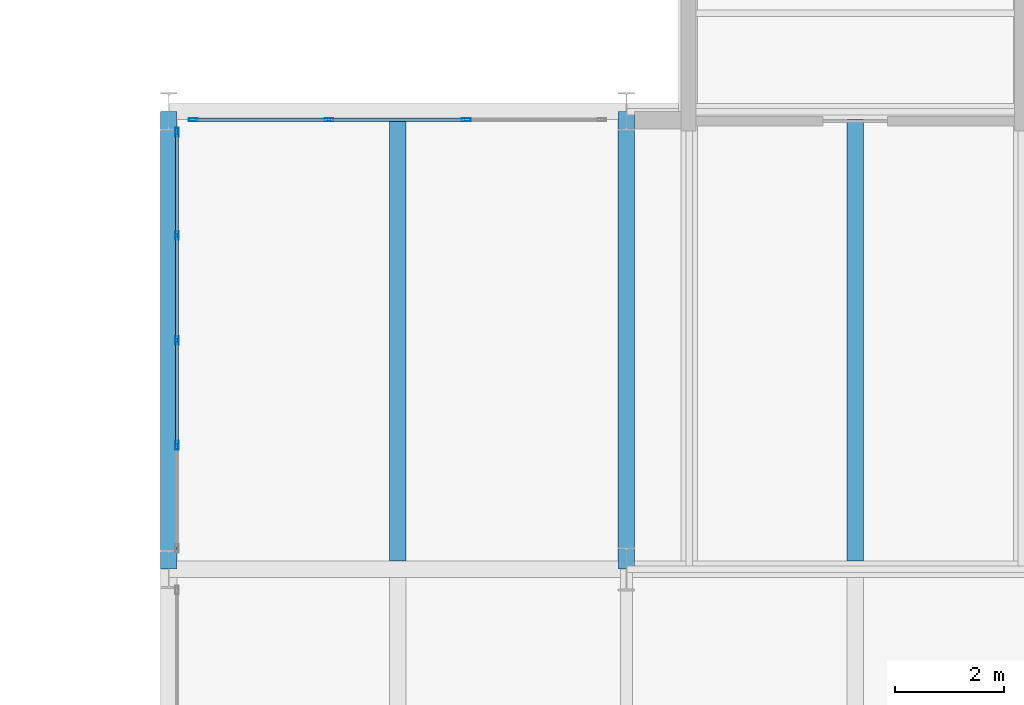
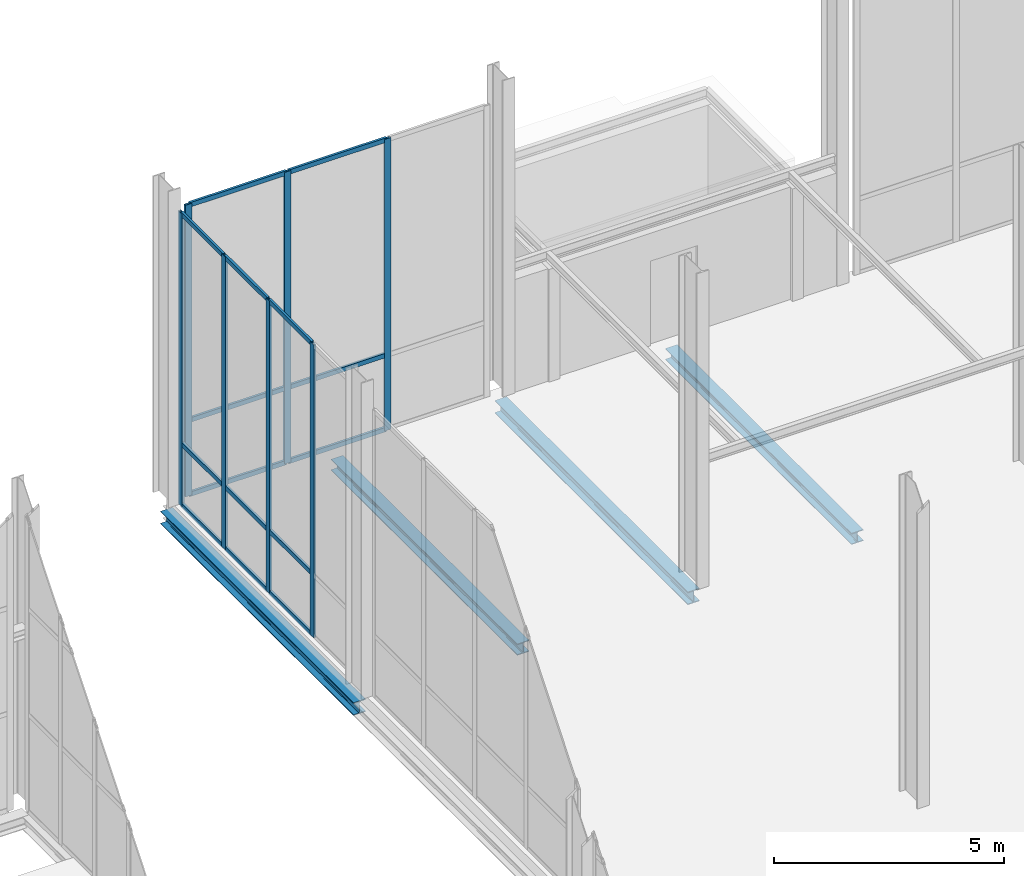
# One storey, part 69 of 131: 22 members, 4 beams, 2 elements without a shape of their own.
"""IFC4 building model written with IfcOpenShell, lengths in metres."""

from ifc_helpers import new_model, si_unit, direction, frame, origin, origin_2d, place, context, subcontext, project, spatial, hollow_rectangle, i_section, extrude, material, material_profile, profile_set, type_object, element, aggregate, save


model = new_model("IFC4")

# Units and contexts
model_context = context("Model", 3, precision=1e-05, world=origin(), true_north=direction((0.0, 1.0)))
body_context = subcontext(model_context, "Body", "Model", "MODEL_VIEW")
ifc_project = project(units=[si_unit("LENGTHUNIT", "METRE"), si_unit("AREAUNIT", "SQUARE_METRE"), si_unit("VOLUMEUNIT", "CUBIC_METRE"), si_unit("PLANEANGLEUNIT", "RADIAN"), si_unit("MASSUNIT", "GRAM", prefix="KILO")], contexts=[model_context])

# Site, building, storey
site_placement = place(None, origin())
site = spatial("IfcSite", under=ifc_project, at=site_placement, CompositionType="ELEMENT")
building_placement = place(site_placement, origin())
building = spatial("IfcBuilding", under=site, at=building_placement, Name="Veltarok Museum of Natural Sciences", CompositionType="ELEMENT")
storey_placement = place(building_placement, origin())
storey = spatial("IfcBuildingStorey", under=building, at=storey_placement, Name="L00", CompositionType="ELEMENT", Elevation=0.0)

# Curtain wall, members
ifc_material_1 = material(Name="Low-iron triple insulated glass", Category="glass")
curtain_wall_type_1 = type_object("IfcCurtainWallType", Name="Curtain Wall System CW-V2NP-L00-7-756x775 (North Pavilion L00 7-8 756x775cm)", PredefinedType="NOTDEFINED", material=ifc_material_1)
curtain_wall_1_placement = place(storey_placement, origin())
curtain_wall_1 = element("IfcCurtainWall", 1, at=curtain_wall_1_placement, inside=storey, type_object=curtain_wall_type_1, Name="Curtain Wall CW-V2NP-L00-7-756x775 CW-0067", PredefinedType="NOTDEFINED")
ifc_material_2 = material(Name="Thermally broken anodised aluminium", Category="aluminium")
ifc_material_profile_1 = material_profile(ifc_material_2, hollow_rectangle(XDim=0.06005859375, YDim=0.1201171875, WallThickness=0.0048828125, at=origin_2d()), Name="CW TRANSOM 60x120x5")
ifc_profile_set_1 = profile_set([ifc_material_profile_1], Name="Thermally broken anodised aluminium")
member_type_1 = type_object("IfcMemberType", Name="Curtain Wall Horizontal Transom 60x120x5", PredefinedType="USERDEFINED", material=ifc_profile_set_1)
member_1_placement = place(storey_placement, frame((62.22998046875, 109.050048828125, 0.030029296875), z_axis=(-1.0, 0.0, 0.0), x_axis=(0.0, -1.0, 0.0)))
member_1 = element("IfcMember", 2, at=member_1_placement, type_object=member_type_1, Name="CW-V2NP-L00-7-756x775 transom 2.1", ObjectType="TRANSOM", PredefinedType="USERDEFINED", context=body_context, shape_type="SweptSolid", body=[
    extrude(hollow_rectangle(XDim=0.06005859375, YDim=0.1201171875, WallThickness=0.0048828125, at=origin_2d()), origin(), (0.0, 0.0, 1.0), 2.4599609375),
])
member_2_placement = place(storey_placement, frame((62.22998046875, 109.050048828125, 2.0), z_axis=(-1.0, 0.0, 0.0), x_axis=(0.0, -1.0, 0.0)))
member_2 = element("IfcMember", 3, at=member_2_placement, type_object=member_type_1, Name="CW-V2NP-L00-7-756x775 transom 2.2", ObjectType="TRANSOM", PredefinedType="USERDEFINED", context=body_context, shape_type="SweptSolid", body=[
    extrude(hollow_rectangle(XDim=0.06005859375, YDim=0.1201171875, WallThickness=0.0048828125, at=origin_2d()), origin(), (0.0, 0.0, 1.0), 2.4599609375),
])
member_3_placement = place(storey_placement, frame((62.22998046875, 109.050048828125, 7.719970703125), z_axis=(-1.0, 0.0, 0.0), x_axis=(0.0, -1.0, 0.0)))
member_3 = element("IfcMember", 4, at=member_3_placement, type_object=member_type_1, Name="CW-V2NP-L00-7-756x775 transom 2.3", ObjectType="TRANSOM", PredefinedType="USERDEFINED", context=body_context, shape_type="SweptSolid", body=[
    extrude(hollow_rectangle(XDim=0.06005859375, YDim=0.1201171875, WallThickness=0.0048828125, at=origin_2d()), origin(), (0.0, 0.0, 1.0), 2.4599609375),
])
member_4_placement = place(storey_placement, frame((59.7099609375, 109.050048828125, 0.030029296875), z_axis=(-1.0, 0.0, 0.0), x_axis=(0.0, -1.0, 0.0)))
member_4 = element("IfcMember", 5, at=member_4_placement, type_object=member_type_1, Name="CW-V2NP-L00-7-756x775 transom 3.1", ObjectType="TRANSOM", PredefinedType="USERDEFINED", context=body_context, shape_type="SweptSolid", body=[
    extrude(hollow_rectangle(XDim=0.06005859375, YDim=0.1201171875, WallThickness=0.0048828125, at=origin_2d()), origin(), (0.0, 0.0, 1.0), 2.429931640625),
])
member_5_placement = place(storey_placement, frame((59.7099609375, 109.050048828125, 2.0), z_axis=(-1.0, 0.0, 0.0), x_axis=(0.0, -1.0, 0.0)))
member_5 = element("IfcMember", 6, at=member_5_placement, type_object=member_type_1, Name="CW-V2NP-L00-7-756x775 transom 3.2", ObjectType="TRANSOM", PredefinedType="USERDEFINED", context=body_context, shape_type="SweptSolid", body=[
    extrude(hollow_rectangle(XDim=0.06005859375, YDim=0.1201171875, WallThickness=0.0048828125, at=origin_2d()), origin(), (0.0, 0.0, 1.0), 2.429931640625),
])
member_6_placement = place(storey_placement, frame((59.7099609375, 109.050048828125, 7.719970703125), z_axis=(-1.0, 0.0, 0.0), x_axis=(0.0, -1.0, 0.0)))
member_6 = element("IfcMember", 7, at=member_6_placement, type_object=member_type_1, Name="CW-V2NP-L00-7-756x775 transom 3.3", ObjectType="TRANSOM", PredefinedType="USERDEFINED", context=body_context, shape_type="SweptSolid", body=[
    extrude(hollow_rectangle(XDim=0.06005859375, YDim=0.1201171875, WallThickness=0.0048828125, at=origin_2d()), origin(), (0.0, 0.0, 1.0), 2.429931640625),
])

curtain_wall_type_2 = type_object("IfcCurtainWallType", Name="Curtain Wall System CW-V2NPW-L00-0-770x778 (CW-V2NPW L00 770x778cm)", PredefinedType="NOTDEFINED", material=ifc_material_1)
curtain_wall_2_placement = place(storey_placement, origin())
curtain_wall_2 = element("IfcCurtainWall", 8, at=curtain_wall_2_placement, inside=storey, type_object=curtain_wall_type_2, Name="Curtain Wall CW-V2NPW-L00-0-770x778 CW-0216", PredefinedType="NOTDEFINED")
member_7_placement = place(storey_placement, frame((56.949951171875, 103.10498046875, 0.028076171875), z_axis=(0.0, 1.0, 0.0), x_axis=(-1.0, 0.0, 0.0)))
member_7 = element("IfcMember", 9, at=member_7_placement, type_object=member_type_1, Name="CW-V2NPW-L00-0-770x778 transom 2.1", ObjectType="TRANSOM", PredefinedType="USERDEFINED", context=body_context, shape_type="SweptSolid", body=[
    extrude(hollow_rectangle(XDim=0.06005859375, YDim=0.1201171875, WallThickness=0.0048828125, at=origin_2d()), origin(), (0.0, 0.0, 1.0), 1.864990234375),
])
member_8_placement = place(storey_placement, frame((56.949951171875, 103.10498046875, 1.64794921875), z_axis=(0.0, 1.0, 0.0), x_axis=(-1.0, 0.0, 0.0)))
member_8 = element("IfcMember", 10, at=member_8_placement, type_object=member_type_1, Name="CW-V2NPW-L00-0-770x778 transom 2.2", ObjectType="TRANSOM", PredefinedType="USERDEFINED", context=body_context, shape_type="SweptSolid", body=[
    extrude(hollow_rectangle(XDim=0.06005859375, YDim=0.1201171875, WallThickness=0.0048828125, at=origin_2d()), origin(), (0.0, 0.0, 1.0), 1.864990234375),
])
member_9_placement = place(storey_placement, frame((56.949951171875, 103.10498046875, 7.75), z_axis=(0.0, 1.0, 0.0), x_axis=(-1.0, 0.0, 0.0)))
member_9 = element("IfcMember", 11, at=member_9_placement, type_object=member_type_1, Name="CW-V2NPW-L00-0-770x778 transom 2.3", ObjectType="TRANSOM", PredefinedType="USERDEFINED", context=body_context, shape_type="SweptSolid", body=[
    extrude(hollow_rectangle(XDim=0.06005859375, YDim=0.1201171875, WallThickness=0.0048828125, at=origin_2d()), origin(), (0.0, 0.0, 1.0), 1.864990234375),
])
member_10_placement = place(storey_placement, frame((56.949951171875, 105.030029296875, 0.028076171875), z_axis=(0.0, 1.0, 0.0), x_axis=(-1.0, 0.0, 0.0)))
member_10 = element("IfcMember", 12, at=member_10_placement, type_object=member_type_1, Name="CW-V2NPW-L00-0-770x778 transom 3.1", ObjectType="TRANSOM", PredefinedType="USERDEFINED", context=body_context, shape_type="SweptSolid", body=[
    extrude(hollow_rectangle(XDim=0.06005859375, YDim=0.1201171875, WallThickness=0.0048828125, at=origin_2d()), origin(), (0.0, 0.0, 1.0), 1.864990234375),
])
member_11_placement = place(storey_placement, frame((56.949951171875, 105.030029296875, 1.64794921875), z_axis=(0.0, 1.0, 0.0), x_axis=(-1.0, 0.0, 0.0)))
member_11 = element("IfcMember", 13, at=member_11_placement, type_object=member_type_1, Name="CW-V2NPW-L00-0-770x778 transom 3.2", ObjectType="TRANSOM", PredefinedType="USERDEFINED", context=body_context, shape_type="SweptSolid", body=[
    extrude(hollow_rectangle(XDim=0.06005859375, YDim=0.1201171875, WallThickness=0.0048828125, at=origin_2d()), origin(), (0.0, 0.0, 1.0), 1.864990234375),
])
member_12_placement = place(storey_placement, frame((56.949951171875, 105.030029296875, 7.75), z_axis=(0.0, 1.0, 0.0), x_axis=(-1.0, 0.0, 0.0)))
member_12 = element("IfcMember", 14, at=member_12_placement, type_object=member_type_1, Name="CW-V2NPW-L00-0-770x778 transom 3.3", ObjectType="TRANSOM", PredefinedType="USERDEFINED", context=body_context, shape_type="SweptSolid", body=[
    extrude(hollow_rectangle(XDim=0.06005859375, YDim=0.1201171875, WallThickness=0.0048828125, at=origin_2d()), origin(), (0.0, 0.0, 1.0), 1.864990234375),
])
member_13_placement = place(storey_placement, frame((56.949951171875, 106.955078125, 0.028076171875), z_axis=(0.0, 1.0, 0.0), x_axis=(-1.0, 0.0, 0.0)))
member_13 = element("IfcMember", 15, at=member_13_placement, type_object=member_type_1, Name="CW-V2NPW-L00-0-770x778 transom 4.1", ObjectType="TRANSOM", PredefinedType="USERDEFINED", context=body_context, shape_type="SweptSolid", body=[
    extrude(hollow_rectangle(XDim=0.06005859375, YDim=0.1201171875, WallThickness=0.0048828125, at=origin_2d()), origin(), (0.0, 0.0, 1.0), 1.8349609375),
])
member_14_placement = place(storey_placement, frame((56.949951171875, 106.955078125, 1.64794921875), z_axis=(0.0, 1.0, 0.0), x_axis=(-1.0, 0.0, 0.0)))
member_14 = element("IfcMember", 16, at=member_14_placement, type_object=member_type_1, Name="CW-V2NPW-L00-0-770x778 transom 4.2", ObjectType="TRANSOM", PredefinedType="USERDEFINED", context=body_context, shape_type="SweptSolid", body=[
    extrude(hollow_rectangle(XDim=0.06005859375, YDim=0.1201171875, WallThickness=0.0048828125, at=origin_2d()), origin(), (0.0, 0.0, 1.0), 1.8349609375),
])
member_15_placement = place(storey_placement, frame((56.949951171875, 106.955078125, 7.75), z_axis=(0.0, 1.0, 0.0), x_axis=(-1.0, 0.0, 0.0)))
member_15 = element("IfcMember", 17, at=member_15_placement, type_object=member_type_1, Name="CW-V2NPW-L00-0-770x778 transom 4.3", ObjectType="TRANSOM", PredefinedType="USERDEFINED", context=body_context, shape_type="SweptSolid", body=[
    extrude(hollow_rectangle(XDim=0.06005859375, YDim=0.1201171875, WallThickness=0.0048828125, at=origin_2d()), origin(), (0.0, 0.0, 1.0), 1.8349609375),
])

# Member
ifc_material_profile_2 = material_profile(ifc_material_2, hollow_rectangle(XDim=0.06005859375, YDim=0.159912109375, WallThickness=0.0048828125, at=origin_2d()), Name="CW MULLION 60x160x5")
ifc_profile_set_2 = profile_set([ifc_material_profile_2], Name="Thermally broken anodised aluminium")
member_type_2 = type_object("IfcMemberType", Name="Curtain Wall Vertical Mullion 60x160x5", PredefinedType="MULLION", material=ifc_profile_set_2)
member_16_placement = place(storey_placement, frame((62.260009765625, 109.050048828125, 0.0), z_axis=(0.0, 0.0, 1.0), x_axis=(0.0, -1.0, 0.0)))
member_16 = element("IfcMember", 18, at=member_16_placement, type_object=member_type_2, Name="CW-V2NP-L00-7-756x775 mullion 2", PredefinedType="MULLION", context=body_context, shape_type="SweptSolid", body=[
    extrude(hollow_rectangle(XDim=0.06005859375, YDim=0.159912109375, WallThickness=0.0048828125, at=origin_2d()), origin(), (0.0, 0.0, 1.0), 7.75),
])

member_17_placement = place(storey_placement, frame((59.739990234375, 109.050048828125, 0.0), z_axis=(0.0, 0.0, 1.0), x_axis=(0.0, -1.0, 0.0)))
member_17 = element("IfcMember", 19, at=member_17_placement, type_object=member_type_2, Name="CW-V2NP-L00-7-756x775 mullion 3", PredefinedType="MULLION", context=body_context, shape_type="SweptSolid", body=[
    extrude(hollow_rectangle(XDim=0.06005859375, YDim=0.159912109375, WallThickness=0.0048828125, at=origin_2d()), origin(), (0.0, 0.0, 1.0), 7.75),
])

member_18_placement = place(storey_placement, frame((57.25, 109.050048828125, 0.0), z_axis=(0.0, 0.0, 1.0), x_axis=(0.0, -1.0, 0.0)))
member_18 = element("IfcMember", 20, at=member_18_placement, type_object=member_type_2, Name="CW-V2NP-L00-7-756x775 mullion 4", PredefinedType="MULLION", context=body_context, shape_type="SweptSolid", body=[
    extrude(hollow_rectangle(XDim=0.06005859375, YDim=0.159912109375, WallThickness=0.0048828125, at=origin_2d()), origin(), (0.0, 0.0, 1.0), 7.75),
])

aggregate(curtain_wall_1, [member_16, member_17, member_18, member_1, member_2, member_3, member_4, member_5, member_6])

member_19_placement = place(storey_placement, frame((56.949951171875, 103.074951171875, -0.001953125), z_axis=(0.0, 0.0, 1.0), x_axis=(-1.0, 0.0, 0.0)))
member_19 = element("IfcMember", 21, at=member_19_placement, type_object=member_type_2, Name="CW-V2NPW-L00-0-770x778 mullion 2", PredefinedType="MULLION", context=body_context, shape_type="SweptSolid", body=[
    extrude(hollow_rectangle(XDim=0.06005859375, YDim=0.159912109375, WallThickness=0.0048828125, at=origin_2d()), origin(), (0.0, 0.0, 1.0), 7.781982421875),
])

member_20_placement = place(storey_placement, frame((56.949951171875, 105.0, -0.001953125), z_axis=(0.0, 0.0, 1.0), x_axis=(-1.0, 0.0, 0.0)))
member_20 = element("IfcMember", 22, at=member_20_placement, type_object=member_type_2, Name="CW-V2NPW-L00-0-770x778 mullion 3", PredefinedType="MULLION", context=body_context, shape_type="SweptSolid", body=[
    extrude(hollow_rectangle(XDim=0.06005859375, YDim=0.159912109375, WallThickness=0.0048828125, at=origin_2d()), origin(), (0.0, 0.0, 1.0), 7.781982421875),
])

member_21_placement = place(storey_placement, frame((56.949951171875, 106.925048828125, -0.001953125), z_axis=(0.0, 0.0, 1.0), x_axis=(-1.0, 0.0, 0.0)))
member_21 = element("IfcMember", 23, at=member_21_placement, type_object=member_type_2, Name="CW-V2NPW-L00-0-770x778 mullion 4", PredefinedType="MULLION", context=body_context, shape_type="SweptSolid", body=[
    extrude(hollow_rectangle(XDim=0.06005859375, YDim=0.159912109375, WallThickness=0.0048828125, at=origin_2d()), origin(), (0.0, 0.0, 1.0), 7.781982421875),
])

member_22_placement = place(storey_placement, frame((56.949951171875, 108.820068359375, -0.001953125), z_axis=(0.0, 0.0, 1.0), x_axis=(-1.0, 0.0, 0.0)))
member_22 = element("IfcMember", 24, at=member_22_placement, type_object=member_type_2, Name="CW-V2NPW-L00-0-770x778 mullion 5", PredefinedType="MULLION", context=body_context, shape_type="SweptSolid", body=[
    extrude(hollow_rectangle(XDim=0.06005859375, YDim=0.159912109375, WallThickness=0.0048828125, at=origin_2d()), origin(), (0.0, 0.0, 1.0), 7.781982421875),
])

aggregate(curtain_wall_2, [member_19, member_20, member_21, member_22, member_7, member_8, member_9, member_10, member_11, member_12, member_13, member_14, member_15])

# Beams
ifc_material_3 = material(Name="Steel S355J2", Category="steel")
ifc_material_profile_3 = material_profile(ifc_material_3, i_section(OverallWidth=0.300048828125, OverallDepth=0.300048828125, WebThickness=0.010986328125, FlangeThickness=0.01904296875, FilletRadius=0.027099609375, at=origin_2d()), Name="HEB 300")
ifc_profile_set_3 = profile_set([ifc_material_profile_3], Name="Steel S355J2")
beam_type_1 = type_object("IfcBeamType", Name="Laboratory Floor Joist HEB 300", PredefinedType="JOIST", material=ifc_profile_set_3)
for number, where, z_axis, x_axis, name in (
    (25, (61.0, 100.947998046875, -0.449951171875), (0.0, 1.0, 0.0), (-1.0, 0.0, 0.0), "Secondary Joist BM-J10 L00 7-8/L-M.1"),
    (26, (69.39990234375, 100.947998046875, -0.449951171875), (0.0, 1.0, 0.0), (-1.0, 0.0, 0.0), "Secondary Joist BM-J10 L00 8-9/L-M.1"),
):
    element("IfcBeam", number, at=place(storey_placement, frame(where, z_axis=z_axis, x_axis=x_axis)), inside=storey, type_object=beam_type_1, Name=name, PredefinedType="JOIST", context=body_context, shape_type="SweptSolid", body=[
        extrude(i_section(OverallWidth=0.300048828125, OverallDepth=0.300048828125, WebThickness=0.010986328125, FlangeThickness=0.01904296875, FilletRadius=0.027099609375, at=origin_2d()), origin(), (0.0, 0.0, 1.0), 8.10400390625),
    ])
ifc_material_profile_4 = material_profile(ifc_material_3, i_section(OverallWidth=0.300048828125, OverallDepth=0.340087890625, WebThickness=0.011962890625, FlangeThickness=0.021484375, FilletRadius=0.027099609375, at=origin_2d()), Name="HEB 340")
ifc_profile_set_4 = profile_set([ifc_material_profile_4], Name="Steel S355J2")
beam_type_2 = type_object("IfcBeamType", Name="Perimeter Bridge Spandrel HEB 340", PredefinedType="SPANDREL", material=ifc_profile_set_4)
for number, where, z_axis, x_axis, name in (
    (27, (56.800048828125, 100.800048828125, -0.469970703125), (0.0, 1.0, 0.0), (-1.0, 0.0, 0.0), "Beam BM-SP07 L00 7/L-M"),
    (28, (65.199951171875, 100.800048828125, -0.469970703125), (0.0, 1.0, 0.0), (-1.0, 0.0, 0.0), "Beam BM-SP07 L00 8/L-M"),
):
    element("IfcBeam", number, at=place(storey_placement, frame(where, z_axis=z_axis, x_axis=x_axis)), inside=storey, type_object=beam_type_2, Name=name, PredefinedType="SPANDREL", context=body_context, shape_type="SweptSolid", body=[
        extrude(i_section(OverallWidth=0.300048828125, OverallDepth=0.340087890625, WebThickness=0.011962890625, FlangeThickness=0.021484375, FilletRadius=0.027099609375, at=origin_2d()), origin(), (0.0, 0.0, 1.0), 8.39990234375),
    ])

save(model, "model.ifc")
